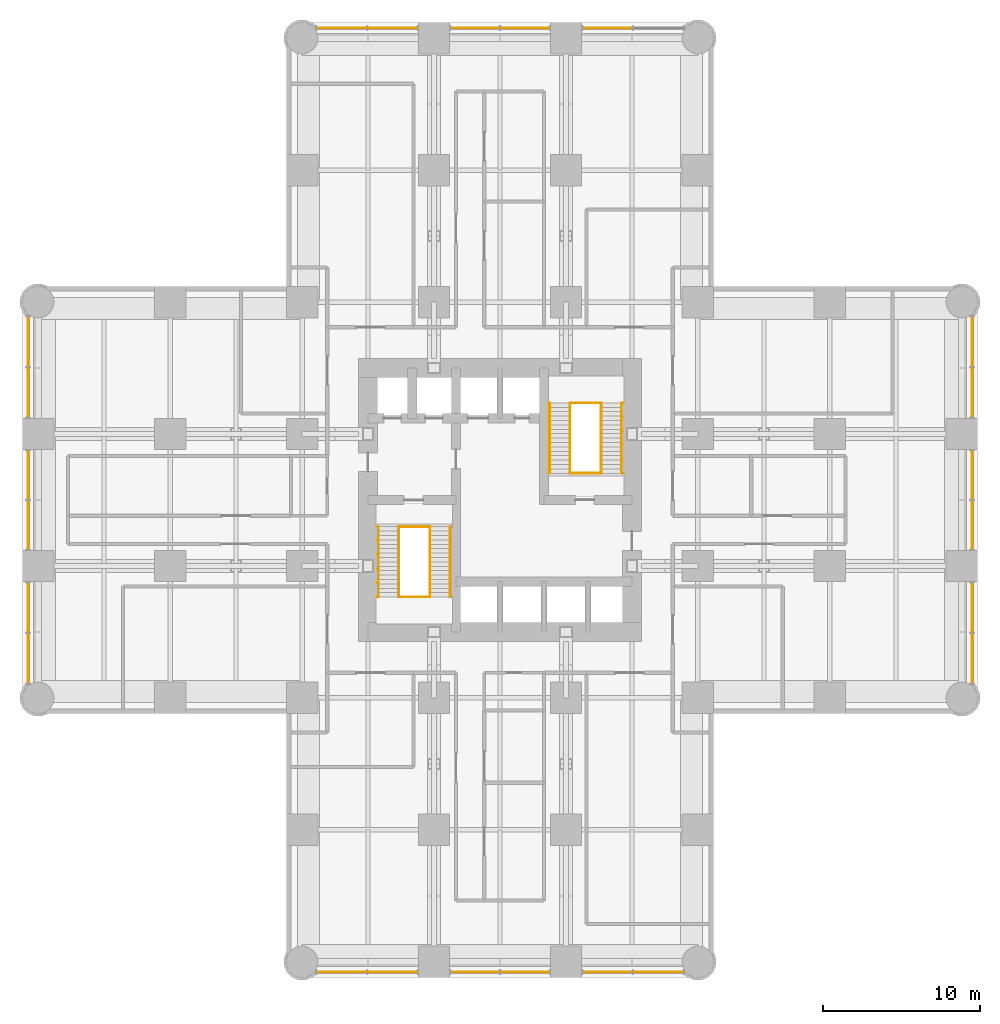
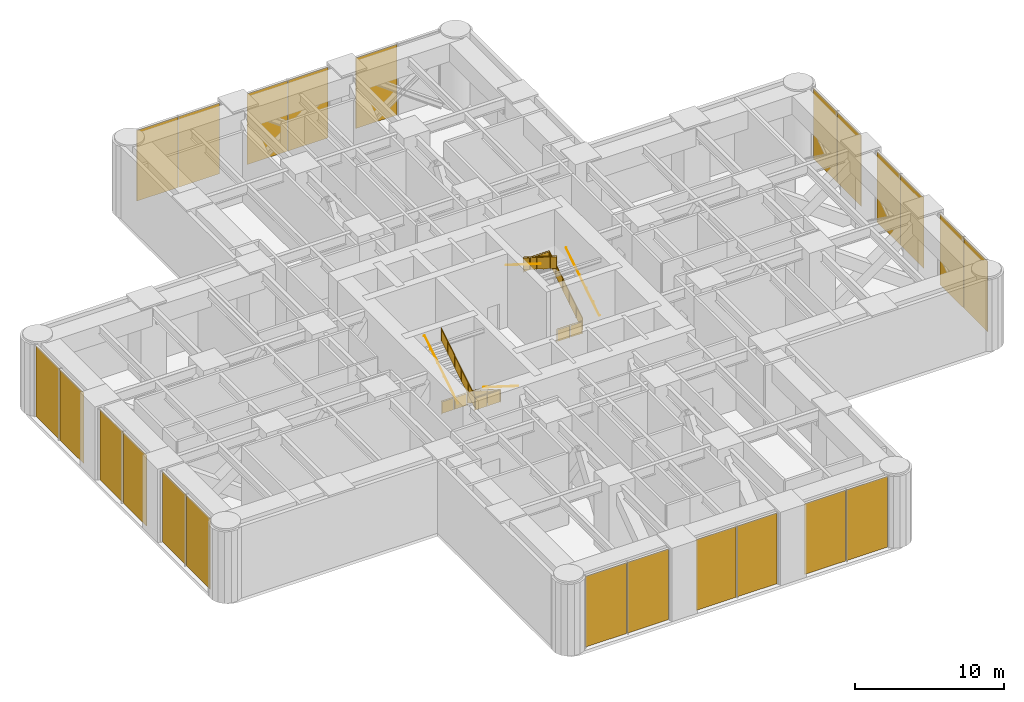
# One storey, part 11 of 12: 23 shading devices, 12 railings, 4 elements without a shape of their own.
"""IFC4 building model written with IfcOpenShell, lengths in metres."""

from ifc_helpers import new_model, si_unit, direction, frame, origin, origin_2d, place, context, subcontext, project, spatial, polyline, rectangle, circle, outline, extrude, material, layer, layer_set, type_object, element, aggregate, save


model = new_model("IFC4")

# Units and contexts
model_context = context("Model", 3, precision=1e-05, world=origin(), true_north=direction((0.0, 1.0)))
body_context = subcontext(model_context, "Body", "Model", "MODEL_VIEW")
ifc_project = project(units=[si_unit("LENGTHUNIT", "METRE"), si_unit("AREAUNIT", "SQUARE_METRE"), si_unit("VOLUMEUNIT", "CUBIC_METRE"), si_unit("PLANEANGLEUNIT", "RADIAN"), si_unit("MASSUNIT", "GRAM", prefix="KILO")], contexts=[model_context])

# Site, building, storey
site_placement = place(None, origin())
site = spatial("IfcSite", under=ifc_project, at=site_placement, CompositionType="ELEMENT")
building_placement = place(site_placement, origin())
building = spatial("IfcBuilding", under=site, at=building_placement, Name="Torre Alcanfor", CompositionType="ELEMENT")
storey_placement = place(building_placement, frame((0.0, 0.0, 102.89990234375)))
storey = spatial("IfcBuildingStorey", under=building, at=storey_placement, Name="L26", CompositionType="ELEMENT", Elevation=102.89990234375)

# Curtain wall, shading devices
ifc_material_1 = material(Name="Aluminium and glass", Category="aluminium")
curtain_wall_type = type_object("IfcCurtainWallType", Name="CW-D plant floor louvre screen", PredefinedType="NOTDEFINED", material=ifc_material_1)
curtain_wall_1_placement = place(storey_placement, origin())
curtain_wall_1 = element("IfcCurtainWall", 1, at=curtain_wall_1_placement, inside=storey, type_object=curtain_wall_type, Name="Curtain wall CW-D L26 2", PredefinedType="NOTDEFINED")
ifc_material_2 = material(Name="Aluminium louvre", Category="aluminium")
ifc_layer = layer(ifc_material_2, 0.028076171875)
ifc_layer_set = layer_set([ifc_layer], Name="CW-D aluminium louvre panel")
shading_device_type = type_object("IfcShadingDeviceType", Name="CW-D aluminium louvre panel", PredefinedType="SHUTTER", material=ifc_layer_set)
shading_device_1_placement = place(storey_placement, frame((-0.64990234375, 39.481201171875, 0.0), z_axis=(0.0, 0.0, 1.0), x_axis=(0.0, -1.0, 0.0)))
shading_device_1 = element("IfcShadingDevice", 2, at=shading_device_1_placement, type_object=shading_device_type, Name="CW-D panel 1.1.1", PredefinedType="SHUTTER", context=body_context, shape_type="SweptSolid", body=[
    extrude(rectangle(XDim=3.1640625, YDim=0.028076171875, at=origin_2d()), origin(), (0.0, 0.0, 1.0), 5.784912109375),
])
shading_device_2_placement = place(storey_placement, frame((-0.64990234375, 36.251953125, 0.0), z_axis=(0.0, 0.0, 1.0), x_axis=(0.0, -1.0, 0.0)))
shading_device_2 = element("IfcShadingDevice", 3, at=shading_device_2_placement, type_object=shading_device_type, Name="CW-D panel 1.2.1", PredefinedType="SHUTTER", context=body_context, shape_type="SweptSolid", body=[
    extrude(rectangle(XDim=3.1640625, YDim=0.028076171875, at=origin_2d()), origin(), (0.0, 0.0, 1.0), 5.784912109375),
])
shading_device_3_placement = place(storey_placement, frame((-0.64990234375, 30.981201171875, 0.0), z_axis=(0.0, 0.0, 1.0), x_axis=(0.0, -1.0, 0.0)))
shading_device_3 = element("IfcShadingDevice", 4, at=shading_device_3_placement, type_object=shading_device_type, Name="CW-D panel 2.1.1", PredefinedType="SHUTTER", context=body_context, shape_type="SweptSolid", body=[
    extrude(rectangle(XDim=3.097412109375, YDim=0.028076171875, at=origin_2d()), origin(), (0.0, 0.0, 1.0), 5.784912109375),
])
shading_device_4_placement = place(storey_placement, frame((-0.64990234375, 27.81884765625, 0.0), z_axis=(0.0, 0.0, 1.0), x_axis=(0.0, -1.0, 0.0)))
shading_device_4 = element("IfcShadingDevice", 5, at=shading_device_4_placement, type_object=shading_device_type, Name="CW-D panel 2.2.1", PredefinedType="SHUTTER", context=body_context, shape_type="SweptSolid", body=[
    extrude(rectangle(XDim=3.097412109375, YDim=0.028076171875, at=origin_2d()), origin(), (0.0, 0.0, 1.0), 5.784912109375),
])
shading_device_5_placement = place(storey_placement, frame((-0.64990234375, 22.5478515625, 0.0), z_axis=(0.0, 0.0, 1.0), x_axis=(0.0, -1.0, 0.0)))
shading_device_5 = element("IfcShadingDevice", 6, at=shading_device_5_placement, type_object=shading_device_type, Name="CW-D panel 3.1.1", PredefinedType="SHUTTER", context=body_context, shape_type="SweptSolid", body=[
    extrude(rectangle(XDim=3.1640625, YDim=0.028076171875, at=origin_2d()), origin(), (0.0, 0.0, 1.0), 5.784912109375),
])
shading_device_6_placement = place(storey_placement, frame((-0.64990234375, 19.31884765625, 0.0), z_axis=(0.0, 0.0, 1.0), x_axis=(0.0, -1.0, 0.0)))
shading_device_6 = element("IfcShadingDevice", 7, at=shading_device_6_placement, type_object=shading_device_type, Name="CW-D panel 3.2.1", PredefinedType="SHUTTER", context=body_context, shape_type="SweptSolid", body=[
    extrude(rectangle(XDim=3.1640625, YDim=0.028076171875, at=origin_2d()), origin(), (0.0, 0.0, 1.0), 5.784912109375),
])
aggregate(curtain_wall_1, [shading_device_1, shading_device_2, shading_device_3, shading_device_4, shading_device_5, shading_device_6])

curtain_wall_2_placement = place(storey_placement, origin())
curtain_wall_2 = element("IfcCurtainWall", 8, at=curtain_wall_2_placement, inside=storey, type_object=curtain_wall_type, Name="Curtain wall CW-D L26 5", PredefinedType="NOTDEFINED")
shading_device_7_placement = place(storey_placement, frame((19.31884765625, -0.64990234375, 0.0), z_axis=(0.0, 0.0, 1.0), x_axis=(1.0, 0.0, 0.0)))
shading_device_7 = element("IfcShadingDevice", 9, at=shading_device_7_placement, type_object=shading_device_type, Name="CW-D panel 1.1.1", PredefinedType="SHUTTER", context=body_context, shape_type="SweptSolid", body=[
    extrude(rectangle(XDim=3.1640625, YDim=0.028076171875, at=origin_2d()), origin(), (0.0, 0.0, 1.0), 5.784912109375),
])
shading_device_8_placement = place(storey_placement, frame((22.5478515625, -0.64990234375, 0.0), z_axis=(0.0, 0.0, 1.0), x_axis=(1.0, 0.0, 0.0)))
shading_device_8 = element("IfcShadingDevice", 10, at=shading_device_8_placement, type_object=shading_device_type, Name="CW-D panel 1.2.1", PredefinedType="SHUTTER", context=body_context, shape_type="SweptSolid", body=[
    extrude(rectangle(XDim=3.1640625, YDim=0.028076171875, at=origin_2d()), origin(), (0.0, 0.0, 1.0), 5.784912109375),
])
shading_device_9_placement = place(storey_placement, frame((27.81884765625, -0.64990234375, 0.0), z_axis=(0.0, 0.0, 1.0), x_axis=(1.0, 0.0, 0.0)))
shading_device_9 = element("IfcShadingDevice", 11, at=shading_device_9_placement, type_object=shading_device_type, Name="CW-D panel 2.1.1", PredefinedType="SHUTTER", context=body_context, shape_type="SweptSolid", body=[
    extrude(rectangle(XDim=3.097412109375, YDim=0.028076171875, at=origin_2d()), origin(), (0.0, 0.0, 1.0), 5.784912109375),
])
shading_device_10_placement = place(storey_placement, frame((30.981201171875, -0.64990234375, 0.0), z_axis=(0.0, 0.0, 1.0), x_axis=(1.0, 0.0, 0.0)))
shading_device_10 = element("IfcShadingDevice", 12, at=shading_device_10_placement, type_object=shading_device_type, Name="CW-D panel 2.2.1", PredefinedType="SHUTTER", context=body_context, shape_type="SweptSolid", body=[
    extrude(rectangle(XDim=3.097412109375, YDim=0.028076171875, at=origin_2d()), origin(), (0.0, 0.0, 1.0), 5.784912109375),
])
shading_device_11_placement = place(storey_placement, frame((36.251953125, -0.64990234375, 0.0), z_axis=(0.0, 0.0, 1.0), x_axis=(1.0, 0.0, 0.0)))
shading_device_11 = element("IfcShadingDevice", 13, at=shading_device_11_placement, type_object=shading_device_type, Name="CW-D panel 3.1.1", PredefinedType="SHUTTER", context=body_context, shape_type="SweptSolid", body=[
    extrude(rectangle(XDim=3.1640625, YDim=0.028076171875, at=origin_2d()), origin(), (0.0, 0.0, 1.0), 5.784912109375),
])
shading_device_12_placement = place(storey_placement, frame((39.481201171875, -0.64990234375, 0.0), z_axis=(0.0, 0.0, 1.0), x_axis=(1.0, 0.0, 0.0)))
shading_device_12 = element("IfcShadingDevice", 14, at=shading_device_12_placement, type_object=shading_device_type, Name="CW-D panel 3.2.1", PredefinedType="SHUTTER", context=body_context, shape_type="SweptSolid", body=[
    extrude(rectangle(XDim=3.1640625, YDim=0.028076171875, at=origin_2d()), origin(), (0.0, 0.0, 1.0), 5.784912109375),
])
aggregate(curtain_wall_2, [shading_device_7, shading_device_8, shading_device_9, shading_device_10, shading_device_11, shading_device_12])

curtain_wall_3_placement = place(storey_placement, origin())
curtain_wall_3 = element("IfcCurtainWall", 15, at=curtain_wall_3_placement, inside=storey, type_object=curtain_wall_type, Name="Curtain wall CW-D L26 8", PredefinedType="NOTDEFINED")
shading_device_13_placement = place(storey_placement, frame((59.449951171875, 19.31884765625, 0.0), z_axis=(0.0, 0.0, 1.0), x_axis=(0.0, 1.0, 0.0)))
shading_device_13 = element("IfcShadingDevice", 16, at=shading_device_13_placement, type_object=shading_device_type, Name="CW-D panel 1.1.1", PredefinedType="SHUTTER", context=body_context, shape_type="SweptSolid", body=[
    extrude(rectangle(XDim=3.1640625, YDim=0.028076171875, at=origin_2d()), origin(), (0.0, 0.0, 1.0), 5.784912109375),
])
shading_device_14_placement = place(storey_placement, frame((59.449951171875, 22.5478515625, 0.0), z_axis=(0.0, 0.0, 1.0), x_axis=(0.0, 1.0, 0.0)))
shading_device_14 = element("IfcShadingDevice", 17, at=shading_device_14_placement, type_object=shading_device_type, Name="CW-D panel 1.2.1", PredefinedType="SHUTTER", context=body_context, shape_type="SweptSolid", body=[
    extrude(rectangle(XDim=3.1640625, YDim=0.028076171875, at=origin_2d()), origin(), (0.0, 0.0, 1.0), 5.784912109375),
])
shading_device_15_placement = place(storey_placement, frame((59.449951171875, 27.81884765625, 0.0), z_axis=(0.0, 0.0, 1.0), x_axis=(0.0, 1.0, 0.0)))
shading_device_15 = element("IfcShadingDevice", 18, at=shading_device_15_placement, type_object=shading_device_type, Name="CW-D panel 2.1.1", PredefinedType="SHUTTER", context=body_context, shape_type="SweptSolid", body=[
    extrude(rectangle(XDim=3.097412109375, YDim=0.028076171875, at=origin_2d()), origin(), (0.0, 0.0, 1.0), 5.784912109375),
])
shading_device_16_placement = place(storey_placement, frame((59.449951171875, 30.981201171875, 0.0), z_axis=(0.0, 0.0, 1.0), x_axis=(0.0, 1.0, 0.0)))
shading_device_16 = element("IfcShadingDevice", 19, at=shading_device_16_placement, type_object=shading_device_type, Name="CW-D panel 2.2.1", PredefinedType="SHUTTER", context=body_context, shape_type="SweptSolid", body=[
    extrude(rectangle(XDim=3.097412109375, YDim=0.028076171875, at=origin_2d()), origin(), (0.0, 0.0, 1.0), 5.784912109375),
])
shading_device_17_placement = place(storey_placement, frame((59.449951171875, 36.251953125, 0.0), z_axis=(0.0, 0.0, 1.0), x_axis=(0.0, 1.0, 0.0)))
shading_device_17 = element("IfcShadingDevice", 20, at=shading_device_17_placement, type_object=shading_device_type, Name="CW-D panel 3.1.1", PredefinedType="SHUTTER", context=body_context, shape_type="SweptSolid", body=[
    extrude(rectangle(XDim=3.1640625, YDim=0.028076171875, at=origin_2d()), origin(), (0.0, 0.0, 1.0), 5.784912109375),
])
shading_device_18_placement = place(storey_placement, frame((59.449951171875, 39.481201171875, 0.0), z_axis=(0.0, 0.0, 1.0), x_axis=(0.0, 1.0, 0.0)))
shading_device_18 = element("IfcShadingDevice", 21, at=shading_device_18_placement, type_object=shading_device_type, Name="CW-D panel 3.2.1", PredefinedType="SHUTTER", context=body_context, shape_type="SweptSolid", body=[
    extrude(rectangle(XDim=3.1640625, YDim=0.028076171875, at=origin_2d()), origin(), (0.0, 0.0, 1.0), 5.784912109375),
])
aggregate(curtain_wall_3, [shading_device_13, shading_device_14, shading_device_15, shading_device_16, shading_device_17, shading_device_18])

curtain_wall_4_placement = place(storey_placement, origin())
curtain_wall_4 = element("IfcCurtainWall", 22, at=curtain_wall_4_placement, inside=storey, type_object=curtain_wall_type, Name="Curtain wall CW-D L26 11", PredefinedType="NOTDEFINED")
shading_device_19_placement = place(storey_placement, frame((36.251953125, 59.449951171875, 0.0), z_axis=(0.0, 0.0, 1.0), x_axis=(-1.0, 0.0, 0.0)))
shading_device_19 = element("IfcShadingDevice", 23, at=shading_device_19_placement, type_object=shading_device_type, Name="CW-D panel 1.2.1", PredefinedType="SHUTTER", context=body_context, shape_type="SweptSolid", body=[
    extrude(rectangle(XDim=3.1640625, YDim=0.028076171875, at=origin_2d()), origin(), (0.0, 0.0, 1.0), 5.784912109375),
])
shading_device_20_placement = place(storey_placement, frame((30.981201171875, 59.449951171875, 0.0), z_axis=(0.0, 0.0, 1.0), x_axis=(-1.0, 0.0, 0.0)))
shading_device_20 = element("IfcShadingDevice", 24, at=shading_device_20_placement, type_object=shading_device_type, Name="CW-D panel 2.1.1", PredefinedType="SHUTTER", context=body_context, shape_type="SweptSolid", body=[
    extrude(rectangle(XDim=3.097412109375, YDim=0.028076171875, at=origin_2d()), origin(), (0.0, 0.0, 1.0), 5.784912109375),
])
shading_device_21_placement = place(storey_placement, frame((27.81884765625, 59.449951171875, 0.0), z_axis=(0.0, 0.0, 1.0), x_axis=(-1.0, 0.0, 0.0)))
shading_device_21 = element("IfcShadingDevice", 25, at=shading_device_21_placement, type_object=shading_device_type, Name="CW-D panel 2.2.1", PredefinedType="SHUTTER", context=body_context, shape_type="SweptSolid", body=[
    extrude(rectangle(XDim=3.097412109375, YDim=0.028076171875, at=origin_2d()), origin(), (0.0, 0.0, 1.0), 5.784912109375),
])
shading_device_22_placement = place(storey_placement, frame((22.5478515625, 59.449951171875, 0.0), z_axis=(0.0, 0.0, 1.0), x_axis=(-1.0, 0.0, 0.0)))
shading_device_22 = element("IfcShadingDevice", 26, at=shading_device_22_placement, type_object=shading_device_type, Name="CW-D panel 3.1.1", PredefinedType="SHUTTER", context=body_context, shape_type="SweptSolid", body=[
    extrude(rectangle(XDim=3.1640625, YDim=0.028076171875, at=origin_2d()), origin(), (0.0, 0.0, 1.0), 5.784912109375),
])
shading_device_23_placement = place(storey_placement, frame((19.31884765625, 59.449951171875, 0.0), z_axis=(0.0, 0.0, 1.0), x_axis=(-1.0, 0.0, 0.0)))
shading_device_23 = element("IfcShadingDevice", 27, at=shading_device_23_placement, type_object=shading_device_type, Name="CW-D panel 3.2.1", PredefinedType="SHUTTER", context=body_context, shape_type="SweptSolid", body=[
    extrude(rectangle(XDim=3.1640625, YDim=0.028076171875, at=origin_2d()), origin(), (0.0, 0.0, 1.0), 5.784912109375),
])
aggregate(curtain_wall_4, [shading_device_19, shading_device_20, shading_device_21, shading_device_22, shading_device_23])

# Railings
ifc_material_3 = material(Name="Steel ASTM A500 Grade C hollow sections", Category="steel")
railing_type_1 = type_object("IfcRailingType", Name="Stair guard and handrail 1100", PredefinedType="GUARDRAIL", material=ifc_material_3)
railing_1_placement = place(storey_placement, frame((24.949951171875, 27.699951171875, 0.176513671875)))
element("IfcRailing", 28, at=railing_1_placement, inside=storey, type_object=railing_type_1, Name="Stair guard S1 L26 flight 1", PredefinedType="GUARDRAIL", context=body_context, shape_type="SweptSolid", body=[
    extrude(circle(Radius=0.02392578125, at=origin_2d()), frame((0.0, 0.0, 1.076171875), z_axis=(0.0, -0.845997938375, 0.533186166611), x_axis=(1.0, 0.0, 0.0)), (0.0, 0.0, 1.0), 5.29541015625),
    extrude(circle(Radius=0.02099609375, at=origin_2d()), origin(), (0.0, 0.0, 1.0), 1.052001953125),
    extrude(circle(Radius=0.02099609375, at=origin_2d()), frame((0.0, -0.89599609375, 0.564697265625)), (0.0, 0.0, 1.0), 1.052001953125),
    extrude(circle(Radius=0.02099609375, at=origin_2d()), frame((0.0, -1.7919921875, 1.12939453125)), (0.0, 0.0, 1.0), 1.052001953125),
    extrude(circle(Radius=0.02099609375, at=origin_2d()), frame((0.0, -2.68798828125, 1.694091796875)), (0.0, 0.0, 1.0), 1.052001953125),
    extrude(circle(Radius=0.02099609375, at=origin_2d()), frame((0.0, -3.583984375, 2.2587890625)), (0.0, 0.0, 1.0), 1.052001953125),
    extrude(circle(Radius=0.02099609375, at=origin_2d()), frame((0.0, -4.47998046875, 2.823486328125)), (0.0, 0.0, 1.0), 1.052001953125),
    extrude(outline(polyline([(0.041015625, 0.075927734375), (0.85498046875, 0.5888671875), (0.85498046875, 1.540771484375), (0.041015625, 1.02783203125), (0.041015625, 0.075927734375)])), frame((0.005859375, 0.0, 0.0), z_axis=(-1.0, 0.0, 0.0), x_axis=(0.0, -1.0, 0.0)), (0.0, 0.0, 1.0), 0.011962890625),
    extrude(outline(polyline([(0.93701171875, 0.640625), (1.7509765625, 1.153564453125), (1.7509765625, 2.10546875), (0.93701171875, 1.592529296875), (0.93701171875, 0.640625)])), frame((0.005859375, 0.0, 0.0), z_axis=(-1.0, 0.0, 0.0), x_axis=(0.0, -1.0, 0.0)), (0.0, 0.0, 1.0), 0.011962890625),
    extrude(outline(polyline([(1.8330078125, 1.205322265625), (2.64697265625, 1.71826171875), (2.64697265625, 2.670166015625), (1.8330078125, 2.1572265625), (1.8330078125, 1.205322265625)])), frame((0.005859375, 0.0, 0.0), z_axis=(-1.0, 0.0, 0.0), x_axis=(0.0, -1.0, 0.0)), (0.0, 0.0, 1.0), 0.011962890625),
    extrude(outline(polyline([(2.72900390625, 1.77001953125), (3.54296875, 2.282958984375), (3.54296875, 3.23486328125), (2.72900390625, 2.721923828125), (2.72900390625, 1.77001953125)])), frame((0.005859375, 0.0, 0.0), z_axis=(-1.0, 0.0, 0.0), x_axis=(0.0, -1.0, 0.0)), (0.0, 0.0, 1.0), 0.011962890625),
    extrude(outline(polyline([(3.625, 2.334716796875), (4.43896484375, 2.84765625), (4.43896484375, 3.799560546875), (3.625, 3.28662109375), (3.625, 2.334716796875)])), frame((0.005859375, 0.0, 0.0), z_axis=(-1.0, 0.0, 0.0), x_axis=(0.0, -1.0, 0.0)), (0.0, 0.0, 1.0), 0.011962890625),
])
railing_2_placement = place(storey_placement, frame((22.949951171875, 23.219970703125, 3.176513671875)))
element("IfcRailing", 29, at=railing_2_placement, inside=storey, type_object=railing_type_1, Name="Stair guard S1 L26 flight 2", PredefinedType="GUARDRAIL", context=body_context, shape_type="SweptSolid", body=[
    extrude(circle(Radius=0.02392578125, at=origin_2d()), frame((0.0, 0.0, 1.076171875), z_axis=(0.0, 0.845997938375, 0.533186166611), x_axis=(-1.0, 0.0, 0.0)), (0.0, 0.0, 1.0), 5.29541015625),
    extrude(circle(Radius=0.02099609375, at=origin_2d()), origin(), (0.0, 0.0, 1.0), 1.052001953125),
    extrude(circle(Radius=0.02099609375, at=origin_2d()), frame((0.0, 0.89599609375, 0.564697265625)), (0.0, 0.0, 1.0), 1.052001953125),
    extrude(circle(Radius=0.02099609375, at=origin_2d()), frame((0.0, 1.7919921875, 1.12939453125)), (0.0, 0.0, 1.0), 1.052001953125),
    extrude(circle(Radius=0.02099609375, at=origin_2d()), frame((0.0, 2.68798828125, 1.694091796875)), (0.0, 0.0, 1.0), 1.052001953125),
    extrude(circle(Radius=0.02099609375, at=origin_2d()), frame((0.0, 3.583984375, 2.2587890625)), (0.0, 0.0, 1.0), 1.052001953125),
    extrude(circle(Radius=0.02099609375, at=origin_2d()), frame((0.0, 4.47998046875, 2.823486328125)), (0.0, 0.0, 1.0), 1.052001953125),
    extrude(outline(polyline([(0.041015625, 0.075927734375), (0.85498046875, 0.5888671875), (0.85498046875, 1.540771484375), (0.041015625, 1.02783203125), (0.041015625, 0.075927734375)])), frame((-0.005859375, 0.0, 0.0), z_axis=(1.0, 0.0, 0.0), x_axis=(0.0, 1.0, 0.0)), (0.0, 0.0, 1.0), 0.011962890625),
    extrude(outline(polyline([(0.93701171875, 0.640625), (1.7509765625, 1.153564453125), (1.7509765625, 2.10546875), (0.93701171875, 1.592529296875), (0.93701171875, 0.640625)])), frame((-0.005859375, 0.0, 0.0), z_axis=(1.0, 0.0, 0.0), x_axis=(0.0, 1.0, 0.0)), (0.0, 0.0, 1.0), 0.011962890625),
    extrude(outline(polyline([(1.8330078125, 1.205322265625), (2.64697265625, 1.71826171875), (2.64697265625, 2.670166015625), (1.8330078125, 2.1572265625), (1.8330078125, 1.205322265625)])), frame((-0.005859375, 0.0, 0.0), z_axis=(1.0, 0.0, 0.0), x_axis=(0.0, 1.0, 0.0)), (0.0, 0.0, 1.0), 0.011962890625),
    extrude(outline(polyline([(2.72900390625, 1.77001953125), (3.54296875, 2.282958984375), (3.54296875, 3.23486328125), (2.72900390625, 2.721923828125), (2.72900390625, 1.77001953125)])), frame((-0.005859375, 0.0, 0.0), z_axis=(1.0, 0.0, 0.0), x_axis=(0.0, 1.0, 0.0)), (0.0, 0.0, 1.0), 0.011962890625),
    extrude(outline(polyline([(3.625, 2.334716796875), (4.43896484375, 2.84765625), (4.43896484375, 3.799560546875), (3.625, 3.28662109375), (3.625, 2.334716796875)])), frame((-0.005859375, 0.0, 0.0), z_axis=(1.0, 0.0, 0.0), x_axis=(0.0, 1.0, 0.0)), (0.0, 0.0, 1.0), 0.011962890625),
])
for number, where, name in (
    (30, (22.949951171875, 27.699951171875, 0.0), "Stair well guard S1 L26 floor landing"),
    (31, (22.949951171875, 23.219970703125, 3.0), "Stair well guard S1 L26 half landing"),
):
    element("IfcRailing", number, at=place(storey_placement, frame(where)), inside=storey, type_object=railing_type_1, Name=name, PredefinedType="GUARDRAIL", context=body_context, shape_type="SweptSolid", body=[
        extrude(circle(Radius=0.02392578125, at=origin_2d()), frame((0.0, 0.0, 1.076171875), z_axis=(1.0, 0.0, 0.0), x_axis=(0.0, 1.0, 0.0)), (0.0, 0.0, 1.0), 2.0),
        extrude(circle(Radius=0.02099609375, at=origin_2d()), origin(), (0.0, 0.0, 1.0), 1.052001953125),
        extrude(circle(Radius=0.02099609375, at=origin_2d()), frame((1.0, 0.0, 0.0)), (0.0, 0.0, 1.0), 1.052001953125),
        extrude(circle(Radius=0.02099609375, at=origin_2d()), frame((2.0, 0.0, 0.0)), (0.0, 0.0, 1.0), 1.052001953125),
        extrude(outline(polyline([(0.041015625, 0.050048828125), (0.958984375, 0.050048828125), (0.958984375, 1.001953125), (0.041015625, 1.001953125), (0.041015625, 0.050048828125)])), frame((0.0, 0.005859375, 0.0), z_axis=(0.0, -1.0, 0.0), x_axis=(1.0, 0.0, 0.0)), (0.0, 0.0, 1.0), 0.011962890625),
        extrude(outline(polyline([(1.041015625, 0.050048828125), (1.958984375, 0.050048828125), (1.958984375, 1.001953125), (1.041015625, 1.001953125), (1.041015625, 0.050048828125)])), frame((0.0, 0.005859375, 0.0), z_axis=(0.0, -1.0, 0.0), x_axis=(1.0, 0.0, 0.0)), (0.0, 0.0, 1.0), 0.011962890625),
    ])
railing_3_placement = place(storey_placement, frame((35.85009765625, 31.10009765625, 0.176513671875)))
element("IfcRailing", 32, at=railing_3_placement, inside=storey, type_object=railing_type_1, Name="Stair guard S2 L26 flight 1", PredefinedType="GUARDRAIL", context=body_context, shape_type="SweptSolid", body=[
    extrude(circle(Radius=0.02392578125, at=origin_2d()), frame((0.0, 0.0, 1.076171875), z_axis=(0.0, 0.845997938375, 0.533186166611), x_axis=(-1.0, 0.0, 0.0)), (0.0, 0.0, 1.0), 5.29541015625),
    extrude(circle(Radius=0.02099609375, at=origin_2d()), origin(), (0.0, 0.0, 1.0), 1.052001953125),
    extrude(circle(Radius=0.02099609375, at=origin_2d()), frame((0.0, 0.89599609375, 0.564697265625)), (0.0, 0.0, 1.0), 1.052001953125),
    extrude(circle(Radius=0.02099609375, at=origin_2d()), frame((0.0, 1.7919921875, 1.12939453125)), (0.0, 0.0, 1.0), 1.052001953125),
    extrude(circle(Radius=0.02099609375, at=origin_2d()), frame((0.0, 2.68798828125, 1.694091796875)), (0.0, 0.0, 1.0), 1.052001953125),
    extrude(circle(Radius=0.02099609375, at=origin_2d()), frame((0.0, 3.583984375, 2.2587890625)), (0.0, 0.0, 1.0), 1.052001953125),
    extrude(circle(Radius=0.02099609375, at=origin_2d()), frame((0.0, 4.47998046875, 2.823486328125)), (0.0, 0.0, 1.0), 1.052001953125),
    extrude(outline(polyline([(0.041015625, 0.075927734375), (0.85498046875, 0.5888671875), (0.85498046875, 1.540771484375), (0.041015625, 1.02783203125), (0.041015625, 0.075927734375)])), frame((-0.005859375, 0.0, 0.0), z_axis=(1.0, 0.0, 0.0), x_axis=(0.0, 1.0, 0.0)), (0.0, 0.0, 1.0), 0.011962890625),
    extrude(outline(polyline([(0.93701171875, 0.640625), (1.7509765625, 1.153564453125), (1.7509765625, 2.10546875), (0.93701171875, 1.592529296875), (0.93701171875, 0.640625)])), frame((-0.005859375, 0.0, 0.0), z_axis=(1.0, 0.0, 0.0), x_axis=(0.0, 1.0, 0.0)), (0.0, 0.0, 1.0), 0.011962890625),
    extrude(outline(polyline([(1.8330078125, 1.205322265625), (2.64697265625, 1.71826171875), (2.64697265625, 2.670166015625), (1.8330078125, 2.1572265625), (1.8330078125, 1.205322265625)])), frame((-0.005859375, 0.0, 0.0), z_axis=(1.0, 0.0, 0.0), x_axis=(0.0, 1.0, 0.0)), (0.0, 0.0, 1.0), 0.011962890625),
    extrude(outline(polyline([(2.72900390625, 1.77001953125), (3.54296875, 2.282958984375), (3.54296875, 3.23486328125), (2.72900390625, 2.721923828125), (2.72900390625, 1.77001953125)])), frame((-0.005859375, 0.0, 0.0), z_axis=(1.0, 0.0, 0.0), x_axis=(0.0, 1.0, 0.0)), (0.0, 0.0, 1.0), 0.011962890625),
    extrude(outline(polyline([(3.625, 2.334716796875), (4.43896484375, 2.84765625), (4.43896484375, 3.799560546875), (3.625, 3.28662109375), (3.625, 2.334716796875)])), frame((-0.005859375, 0.0, 0.0), z_axis=(1.0, 0.0, 0.0), x_axis=(0.0, 1.0, 0.0)), (0.0, 0.0, 1.0), 0.011962890625),
])
railing_4_placement = place(storey_placement, frame((33.85009765625, 35.580078125, 3.176513671875)))
element("IfcRailing", 33, at=railing_4_placement, inside=storey, type_object=railing_type_1, Name="Stair guard S2 L26 flight 2", PredefinedType="GUARDRAIL", context=body_context, shape_type="SweptSolid", body=[
    extrude(circle(Radius=0.02392578125, at=origin_2d()), frame((0.0, 0.0, 1.076171875), z_axis=(0.0, -0.845997938375, 0.533186166611), x_axis=(1.0, 0.0, 0.0)), (0.0, 0.0, 1.0), 5.29541015625),
    extrude(circle(Radius=0.02099609375, at=origin_2d()), origin(), (0.0, 0.0, 1.0), 1.052001953125),
    extrude(circle(Radius=0.02099609375, at=origin_2d()), frame((0.0, -0.89599609375, 0.564697265625)), (0.0, 0.0, 1.0), 1.052001953125),
    extrude(circle(Radius=0.02099609375, at=origin_2d()), frame((0.0, -1.7919921875, 1.12939453125)), (0.0, 0.0, 1.0), 1.052001953125),
    extrude(circle(Radius=0.02099609375, at=origin_2d()), frame((0.0, -2.68798828125, 1.694091796875)), (0.0, 0.0, 1.0), 1.052001953125),
    extrude(circle(Radius=0.02099609375, at=origin_2d()), frame((0.0, -3.583984375, 2.2587890625)), (0.0, 0.0, 1.0), 1.052001953125),
    extrude(circle(Radius=0.02099609375, at=origin_2d()), frame((0.0, -4.47998046875, 2.823486328125)), (0.0, 0.0, 1.0), 1.052001953125),
    extrude(outline(polyline([(0.041015625, 0.075927734375), (0.85498046875, 0.5888671875), (0.85498046875, 1.540771484375), (0.041015625, 1.02783203125), (0.041015625, 0.075927734375)])), frame((0.005859375, 0.0, 0.0), z_axis=(-1.0, 0.0, 0.0), x_axis=(0.0, -1.0, 0.0)), (0.0, 0.0, 1.0), 0.011962890625),
    extrude(outline(polyline([(0.93701171875, 0.640625), (1.7509765625, 1.153564453125), (1.7509765625, 2.10546875), (0.93701171875, 1.592529296875), (0.93701171875, 0.640625)])), frame((0.005859375, 0.0, 0.0), z_axis=(-1.0, 0.0, 0.0), x_axis=(0.0, -1.0, 0.0)), (0.0, 0.0, 1.0), 0.011962890625),
    extrude(outline(polyline([(1.8330078125, 1.205322265625), (2.64697265625, 1.71826171875), (2.64697265625, 2.670166015625), (1.8330078125, 2.1572265625), (1.8330078125, 1.205322265625)])), frame((0.005859375, 0.0, 0.0), z_axis=(-1.0, 0.0, 0.0), x_axis=(0.0, -1.0, 0.0)), (0.0, 0.0, 1.0), 0.011962890625),
    extrude(outline(polyline([(2.72900390625, 1.77001953125), (3.54296875, 2.282958984375), (3.54296875, 3.23486328125), (2.72900390625, 2.721923828125), (2.72900390625, 1.77001953125)])), frame((0.005859375, 0.0, 0.0), z_axis=(-1.0, 0.0, 0.0), x_axis=(0.0, -1.0, 0.0)), (0.0, 0.0, 1.0), 0.011962890625),
    extrude(outline(polyline([(3.625, 2.334716796875), (4.43896484375, 2.84765625), (4.43896484375, 3.799560546875), (3.625, 3.28662109375), (3.625, 2.334716796875)])), frame((0.005859375, 0.0, 0.0), z_axis=(-1.0, 0.0, 0.0), x_axis=(0.0, -1.0, 0.0)), (0.0, 0.0, 1.0), 0.011962890625),
])
for number, where, name in (
    (34, (33.85009765625, 31.10009765625, 0.0), "Stair well guard S2 L26 floor landing"),
    (35, (33.85009765625, 35.580078125, 3.0), "Stair well guard S2 L26 half landing"),
):
    element("IfcRailing", number, at=place(storey_placement, frame(where)), inside=storey, type_object=railing_type_1, Name=name, PredefinedType="GUARDRAIL", context=body_context, shape_type="SweptSolid", body=[
        extrude(circle(Radius=0.02392578125, at=origin_2d()), frame((0.0, 0.0, 1.076171875), z_axis=(1.0, 0.0, 0.0), x_axis=(0.0, 1.0, 0.0)), (0.0, 0.0, 1.0), 2.0),
        extrude(circle(Radius=0.02099609375, at=origin_2d()), origin(), (0.0, 0.0, 1.0), 1.052001953125),
        extrude(circle(Radius=0.02099609375, at=origin_2d()), frame((1.0, 0.0, 0.0)), (0.0, 0.0, 1.0), 1.052001953125),
        extrude(circle(Radius=0.02099609375, at=origin_2d()), frame((2.0, 0.0, 0.0)), (0.0, 0.0, 1.0), 1.052001953125),
        extrude(outline(polyline([(0.041015625, 0.050048828125), (0.958984375, 0.050048828125), (0.958984375, 1.001953125), (0.041015625, 1.001953125), (0.041015625, 0.050048828125)])), frame((0.0, 0.005859375, 0.0), z_axis=(0.0, -1.0, 0.0), x_axis=(1.0, 0.0, 0.0)), (0.0, 0.0, 1.0), 0.011962890625),
        extrude(outline(polyline([(1.041015625, 0.050048828125), (1.958984375, 0.050048828125), (1.958984375, 1.001953125), (1.041015625, 1.001953125), (1.041015625, 0.050048828125)])), frame((0.0, 0.005859375, 0.0), z_axis=(0.0, -1.0, 0.0), x_axis=(1.0, 0.0, 0.0)), (0.0, 0.0, 1.0), 0.011962890625),
    ])
ifc_material_4 = material(Name="Steel ASTM A500 Grade C hollow sections", Category="steel")
railing_type_2 = type_object("IfcRailingType", Name="Stair wall handrail 900", PredefinedType="HANDRAIL", material=ifc_material_4)
railing_5_placement = place(storey_placement, frame((26.235107421875, 27.699951171875, 0.176513671875)))
element("IfcRailing", 36, at=railing_5_placement, inside=storey, type_object=railing_type_2, Name="Stair handrail S1 L26 flight 1", PredefinedType="HANDRAIL", context=body_context, shape_type="SweptSolid", body=[
    extrude(circle(Radius=0.02392578125, at=origin_2d()), frame((0.0, 0.0, 0.8759765625), z_axis=(0.0, -0.845997938375, 0.533186166611), x_axis=(1.0, 0.0, 0.0)), (0.0, 0.0, 1.0), 5.29541015625),
    extrude(circle(Radius=0.008056640625, at=origin_2d()), frame((0.0, 0.0, 0.8759765625), z_axis=(1.0, 0.0, 0.0), x_axis=(0.0, 0.0, 1.0)), (0.0, 0.0, 1.0), 0.06494140625),
    extrude(circle(Radius=0.008056640625, at=origin_2d()), frame((0.0, -0.89599609375, 1.4404296875), z_axis=(1.0, 0.0, 0.0), x_axis=(0.0, 0.0, 1.0)), (0.0, 0.0, 1.0), 0.06494140625),
    extrude(circle(Radius=0.008056640625, at=origin_2d()), frame((0.0, -1.7919921875, 2.00537109375), z_axis=(1.0, 0.0, 0.0), x_axis=(0.0, 0.0, 1.0)), (0.0, 0.0, 1.0), 0.06494140625),
    extrude(circle(Radius=0.008056640625, at=origin_2d()), frame((0.0, -2.68798828125, 2.56982421875), z_axis=(1.0, 0.0, 0.0), x_axis=(0.0, 0.0, 1.0)), (0.0, 0.0, 1.0), 0.06494140625),
    extrude(circle(Radius=0.008056640625, at=origin_2d()), frame((0.0, -3.583984375, 3.134765625), z_axis=(1.0, 0.0, 0.0), x_axis=(0.0, 0.0, 1.0)), (0.0, 0.0, 1.0), 0.06494140625),
    extrude(circle(Radius=0.008056640625, at=origin_2d()), frame((0.0, -4.47998046875, 3.69921875), z_axis=(1.0, 0.0, 0.0), x_axis=(0.0, 0.0, 1.0)), (0.0, 0.0, 1.0), 0.06494140625),
])
railing_6_placement = place(storey_placement, frame((21.6650390625, 23.219970703125, 3.176513671875)))
element("IfcRailing", 37, at=railing_6_placement, inside=storey, type_object=railing_type_2, Name="Stair handrail S1 L26 flight 2", PredefinedType="HANDRAIL", context=body_context, shape_type="SweptSolid", body=[
    extrude(circle(Radius=0.02392578125, at=origin_2d()), frame((0.0, 0.0, 0.8759765625), z_axis=(0.0, 0.845997938375, 0.533186166611), x_axis=(-1.0, 0.0, 0.0)), (0.0, 0.0, 1.0), 5.29541015625),
    extrude(circle(Radius=0.008056640625, at=origin_2d()), frame((0.0, 0.0, 0.8759765625), z_axis=(-1.0, 0.0, 0.0), x_axis=(0.0, 0.0, 1.0)), (0.0, 0.0, 1.0), 0.06494140625),
    extrude(circle(Radius=0.008056640625, at=origin_2d()), frame((0.0, 0.89599609375, 1.4404296875), z_axis=(-1.0, 0.0, 0.0), x_axis=(0.0, 0.0, 1.0)), (0.0, 0.0, 1.0), 0.06494140625),
    extrude(circle(Radius=0.008056640625, at=origin_2d()), frame((0.0, 1.7919921875, 2.00537109375), z_axis=(-1.0, 0.0, 0.0), x_axis=(0.0, 0.0, 1.0)), (0.0, 0.0, 1.0), 0.06494140625),
    extrude(circle(Radius=0.008056640625, at=origin_2d()), frame((0.0, 2.68798828125, 2.56982421875), z_axis=(-1.0, 0.0, 0.0), x_axis=(0.0, 0.0, 1.0)), (0.0, 0.0, 1.0), 0.06494140625),
    extrude(circle(Radius=0.008056640625, at=origin_2d()), frame((0.0, 3.583984375, 3.134765625), z_axis=(-1.0, 0.0, 0.0), x_axis=(0.0, 0.0, 1.0)), (0.0, 0.0, 1.0), 0.06494140625),
    extrude(circle(Radius=0.008056640625, at=origin_2d()), frame((0.0, 4.47998046875, 3.69921875), z_axis=(-1.0, 0.0, 0.0), x_axis=(0.0, 0.0, 1.0)), (0.0, 0.0, 1.0), 0.06494140625),
])
railing_7_placement = place(storey_placement, frame((37.135009765625, 31.10009765625, 0.176513671875)))
element("IfcRailing", 38, at=railing_7_placement, inside=storey, type_object=railing_type_2, Name="Stair handrail S2 L26 flight 1", PredefinedType="HANDRAIL", context=body_context, shape_type="SweptSolid", body=[
    extrude(circle(Radius=0.02392578125, at=origin_2d()), frame((0.0, 0.0, 0.8759765625), z_axis=(0.0, 0.845997938375, 0.533186166611), x_axis=(-1.0, 0.0, 0.0)), (0.0, 0.0, 1.0), 5.29541015625),
    extrude(circle(Radius=0.008056640625, at=origin_2d()), frame((0.0, 0.0, 0.8759765625), z_axis=(1.0, 0.0, 0.0), x_axis=(0.0, 0.0, 1.0)), (0.0, 0.0, 1.0), 0.06494140625),
    extrude(circle(Radius=0.008056640625, at=origin_2d()), frame((0.0, 0.89599609375, 1.4404296875), z_axis=(1.0, 0.0, 0.0), x_axis=(0.0, 0.0, 1.0)), (0.0, 0.0, 1.0), 0.06494140625),
    extrude(circle(Radius=0.008056640625, at=origin_2d()), frame((0.0, 1.7919921875, 2.00537109375), z_axis=(1.0, 0.0, 0.0), x_axis=(0.0, 0.0, 1.0)), (0.0, 0.0, 1.0), 0.06494140625),
    extrude(circle(Radius=0.008056640625, at=origin_2d()), frame((0.0, 2.68798828125, 2.56982421875), z_axis=(1.0, 0.0, 0.0), x_axis=(0.0, 0.0, 1.0)), (0.0, 0.0, 1.0), 0.06494140625),
    extrude(circle(Radius=0.008056640625, at=origin_2d()), frame((0.0, 3.583984375, 3.134765625), z_axis=(1.0, 0.0, 0.0), x_axis=(0.0, 0.0, 1.0)), (0.0, 0.0, 1.0), 0.06494140625),
    extrude(circle(Radius=0.008056640625, at=origin_2d()), frame((0.0, 4.47998046875, 3.69921875), z_axis=(1.0, 0.0, 0.0), x_axis=(0.0, 0.0, 1.0)), (0.0, 0.0, 1.0), 0.06494140625),
])
railing_8_placement = place(storey_placement, frame((32.56494140625, 35.580078125, 3.176513671875)))
element("IfcRailing", 39, at=railing_8_placement, inside=storey, type_object=railing_type_2, Name="Stair handrail S2 L26 flight 2", PredefinedType="HANDRAIL", context=body_context, shape_type="SweptSolid", body=[
    extrude(circle(Radius=0.02392578125, at=origin_2d()), frame((0.0, 0.0, 0.8759765625), z_axis=(0.0, -0.845997938375, 0.533186166611), x_axis=(1.0, 0.0, 0.0)), (0.0, 0.0, 1.0), 5.29541015625),
    extrude(circle(Radius=0.008056640625, at=origin_2d()), frame((0.0, 0.0, 0.8759765625), z_axis=(-1.0, 0.0, 0.0), x_axis=(0.0, 0.0, 1.0)), (0.0, 0.0, 1.0), 0.06494140625),
    extrude(circle(Radius=0.008056640625, at=origin_2d()), frame((0.0, -0.89599609375, 1.4404296875), z_axis=(-1.0, 0.0, 0.0), x_axis=(0.0, 0.0, 1.0)), (0.0, 0.0, 1.0), 0.06494140625),
    extrude(circle(Radius=0.008056640625, at=origin_2d()), frame((0.0, -1.7919921875, 2.00537109375), z_axis=(-1.0, 0.0, 0.0), x_axis=(0.0, 0.0, 1.0)), (0.0, 0.0, 1.0), 0.06494140625),
    extrude(circle(Radius=0.008056640625, at=origin_2d()), frame((0.0, -2.68798828125, 2.56982421875), z_axis=(-1.0, 0.0, 0.0), x_axis=(0.0, 0.0, 1.0)), (0.0, 0.0, 1.0), 0.06494140625),
    extrude(circle(Radius=0.008056640625, at=origin_2d()), frame((0.0, -3.583984375, 3.134765625), z_axis=(-1.0, 0.0, 0.0), x_axis=(0.0, 0.0, 1.0)), (0.0, 0.0, 1.0), 0.06494140625),
    extrude(circle(Radius=0.008056640625, at=origin_2d()), frame((0.0, -4.47998046875, 3.69921875), z_axis=(-1.0, 0.0, 0.0), x_axis=(0.0, 0.0, 1.0)), (0.0, 0.0, 1.0), 0.06494140625),
])

save(model, "model.ifc")
